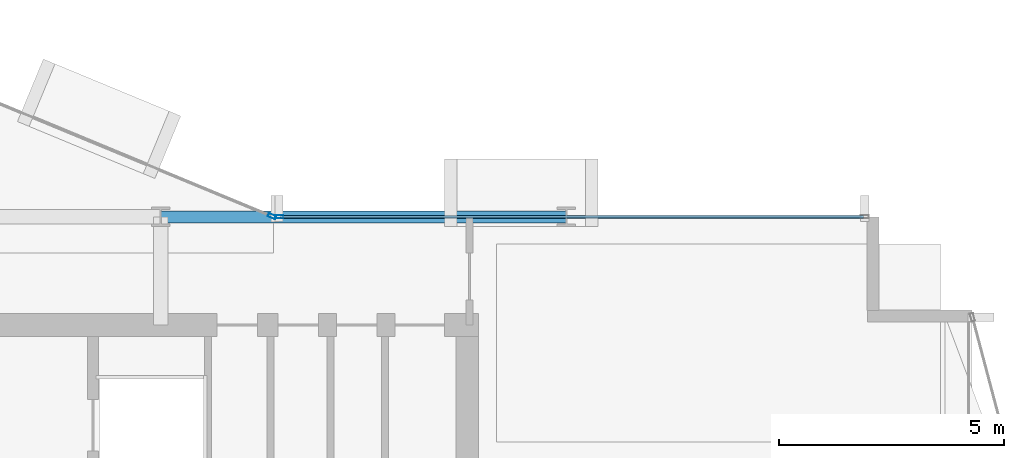
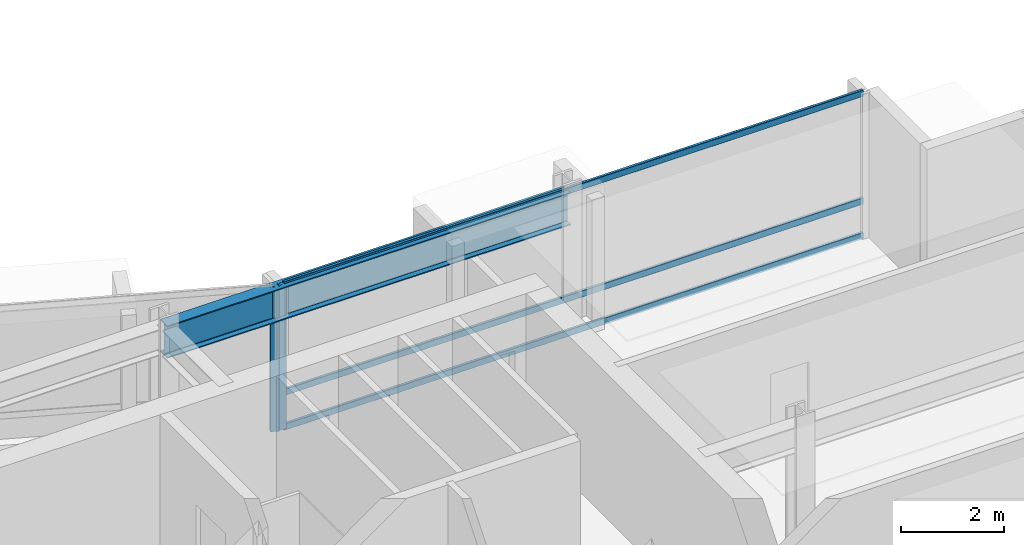
# One storey, part 13 of 29: 5 members, 1 beam, 2 elements without a shape of their own.
"""IFC4 building model written with IfcOpenShell, lengths in metres."""

from ifc_helpers import new_model, si_unit, direction, frame, origin, origin_2d, place, context, subcontext, project, spatial, hollow_rectangle, i_section, extrude, material, layer, layer_set, material_profile, profile_set, type_object, element, aggregate, save


model = new_model("IFC4")

# Units and contexts
model_context = context("Model", 3, precision=1e-05, world=origin(), true_north=direction((0.0, 1.0)))
body_context = subcontext(model_context, "Body", "Model", "MODEL_VIEW")
ifc_project = project(units=[si_unit("LENGTHUNIT", "METRE"), si_unit("AREAUNIT", "SQUARE_METRE"), si_unit("VOLUMEUNIT", "CUBIC_METRE"), si_unit("PLANEANGLEUNIT", "RADIAN"), si_unit("MASSUNIT", "GRAM", prefix="KILO")], contexts=[model_context])

# Site, building, storey
site_placement = place(None, origin())
site = spatial("IfcSite", under=ifc_project, at=site_placement, CompositionType="ELEMENT")
building_placement = place(site_placement, origin())
building = spatial("IfcBuilding", under=site, at=building_placement, Name="Solvaryn Broadcast Tower", CompositionType="ELEMENT")
storey_placement = place(building_placement, frame((0.0, 0.0, 161.800048828125)))
storey = spatial("IfcBuildingStorey", under=building, at=storey_placement, Name="L40", CompositionType="ELEMENT", Elevation=161.800048828125)

# Beam
ifc_material_1 = material(Name="Steel ASTM A992 Grade 50", Category="steel")
ifc_material_profile_1 = material_profile(ifc_material_1, i_section(OverallWidth=0.26708984375, OverallDepth=0.76611328125, WebThickness=0.014892578125, FlangeThickness=0.023681640625, FilletRadius=0.01806640625, at=origin_2d()))
ifc_profile_set_1 = profile_set([ifc_material_profile_1], Name="Steel ASTM A992 Grade 50")
beam_type = type_object("IfcBeamType", Name="BM-SP2-W30X124", PredefinedType="USERDEFINED", material=ifc_profile_set_1)
beam_placement = place(storey_placement, frame((36.0, 27.0, 3.036865234375), z_axis=(1.0, 0.0, 0.0), x_axis=(0.0, 1.0, 0.0)))
element("IfcBeam", 1, at=beam_placement, inside=storey, type_object=beam_type, Name="L40 Spandrel Beam X (36-45 @ Y=27)", ObjectType="SPANDREL", PredefinedType="USERDEFINED", context=body_context, shape_type="SweptSolid", body=[
    extrude(i_section(OverallWidth=0.26708984375, OverallDepth=0.76611328125, WebThickness=0.014892578125, FlangeThickness=0.023681640625, FilletRadius=0.01806640625, at=origin_2d()), origin(), (0.0, 0.0, 1.0), 9.0),
])

# Curtain wall, member
ifc_material_2 = material(Name="Aluminium and Terracotta Unitised Curtain Wall", Category="masonry")
ifc_layer = layer(ifc_material_2, 0.199951171875)
ifc_layer_set = layer_set([ifc_layer], Name="CW-SYS2-LOWMID")
curtain_wall_type = type_object("IfcCurtainWallType", Name="CW-SYS2-LOWMID", PredefinedType="NOTDEFINED", material=ifc_layer_set)
curtain_wall_1_placement = place(storey_placement, origin())
curtain_wall_1 = element("IfcCurtainWall", 2, at=curtain_wall_1_placement, inside=storey, type_object=curtain_wall_type, Name="L40 Curtain Wall CN1", PredefinedType="NOTDEFINED")
ifc_material_3 = material(Name="Anodised Aluminium 6063-T6", Category="aluminium")
ifc_material_profile_2 = material_profile(ifc_material_3, hollow_rectangle(XDim=0.074951171875, YDim=0.179931640625, WallThickness=0.00390625, InnerFilletRadius=0.00390625, OuterFilletRadius=0.008056640625, at=origin_2d()))
ifc_profile_set_2 = profile_set([ifc_material_profile_2], Name="Anodised Aluminium 6063-T6")
member_type_1 = type_object("IfcMemberType", Name="CW-MUL-180", PredefinedType="MULLION", material=ifc_profile_set_2)
member_1_placement = place(storey_placement, frame((38.47216796875, 27.011474609375, 0.0), z_axis=(0.0, 0.0, 1.0), x_axis=(-0.382646127145, -0.923894983957, 0.0)))
member_1 = element("IfcMember", 3, at=member_1_placement, type_object=member_type_1, Name="CWS2 mullion 1", PredefinedType="MULLION", context=body_context, shape_type="SweptSolid", body=[
    extrude(hollow_rectangle(XDim=0.074951171875, YDim=0.179931640625, WallThickness=0.00390625, InnerFilletRadius=0.00390625, OuterFilletRadius=0.008056640625, at=origin_2d()), origin(), (0.0, 0.0, 1.0), 3.419921875),
])
aggregate(curtain_wall_1, [member_1])

# Curtain wall, members
curtain_wall_2_placement = place(storey_placement, origin())
curtain_wall_2 = element("IfcCurtainWall", 4, at=curtain_wall_2_placement, inside=storey, type_object=curtain_wall_type, Name="L40 Curtain Wall IH", PredefinedType="NOTDEFINED")
member_2_placement = place(storey_placement, frame((38.6298828125, 27.0, 0.0), z_axis=(0.0, 0.0, 1.0), x_axis=(0.0, 1.0, 0.0)))
member_2 = element("IfcMember", 5, at=member_2_placement, type_object=member_type_1, Name="CWS2 mullion 1", PredefinedType="MULLION", context=body_context, shape_type="SweptSolid", body=[
    extrude(hollow_rectangle(XDim=0.074951171875, YDim=0.179931640625, WallThickness=0.00390625, InnerFilletRadius=0.00390625, OuterFilletRadius=0.008056640625, at=origin_2d()), origin(), (0.0, 0.0, 1.0), 3.419921875),
])
ifc_material_4 = material(Name="Anodised Aluminium 6063-T6", Category="aluminium")
ifc_material_profile_3 = material_profile(ifc_material_4, hollow_rectangle(XDim=0.06494140625, YDim=0.14990234375, WallThickness=0.00390625, InnerFilletRadius=0.00390625, OuterFilletRadius=0.008056640625, at=origin_2d()))
ifc_profile_set_3 = profile_set([ifc_material_profile_3], Name="Anodised Aluminium 6063-T6")
member_type_2 = type_object("IfcMemberType", Name="CW-TRN-150", PredefinedType="USERDEFINED", material=ifc_profile_set_3)
member_3_placement = place(storey_placement, frame((38.659912109375, 27.0, 0.030029296875), z_axis=(1.0, 0.0, 0.0), x_axis=(0.0, 1.0, 0.0)))
member_3 = element("IfcMember", 6, at=member_3_placement, type_object=member_type_2, Name="CWS2 transom 1.1", ObjectType="TRANSOM", PredefinedType="USERDEFINED", context=body_context, shape_type="SweptSolid", body=[
    extrude(hollow_rectangle(XDim=0.06494140625, YDim=0.14990234375, WallThickness=0.00390625, InnerFilletRadius=0.00390625, OuterFilletRadius=0.008056640625, at=origin_2d()), origin(), (0.0, 0.0, 1.0), 12.93017578125),
])
member_4_placement = place(storey_placement, frame((38.659912109375, 27.0, 0.849853515625), z_axis=(1.0, 0.0, 0.0), x_axis=(0.0, 1.0, 0.0)))
member_4 = element("IfcMember", 7, at=member_4_placement, type_object=member_type_2, Name="CWS2 transom 1.2", ObjectType="TRANSOM", PredefinedType="USERDEFINED", context=body_context, shape_type="SweptSolid", body=[
    extrude(hollow_rectangle(XDim=0.06494140625, YDim=0.14990234375, WallThickness=0.00390625, InnerFilletRadius=0.00390625, OuterFilletRadius=0.008056640625, at=origin_2d()), origin(), (0.0, 0.0, 1.0), 12.93017578125),
])
member_5_placement = place(storey_placement, frame((38.659912109375, 27.0, 3.389892578125), z_axis=(1.0, 0.0, 0.0), x_axis=(0.0, 1.0, 0.0)))
member_5 = element("IfcMember", 8, at=member_5_placement, type_object=member_type_2, Name="CWS2 transom 1.3", ObjectType="TRANSOM", PredefinedType="USERDEFINED", context=body_context, shape_type="SweptSolid", body=[
    extrude(hollow_rectangle(XDim=0.06494140625, YDim=0.14990234375, WallThickness=0.00390625, InnerFilletRadius=0.00390625, OuterFilletRadius=0.008056640625, at=origin_2d()), origin(), (0.0, 0.0, 1.0), 12.93017578125),
])
aggregate(curtain_wall_2, [member_2, member_3, member_4, member_5])

save(model, "model.ifc")
